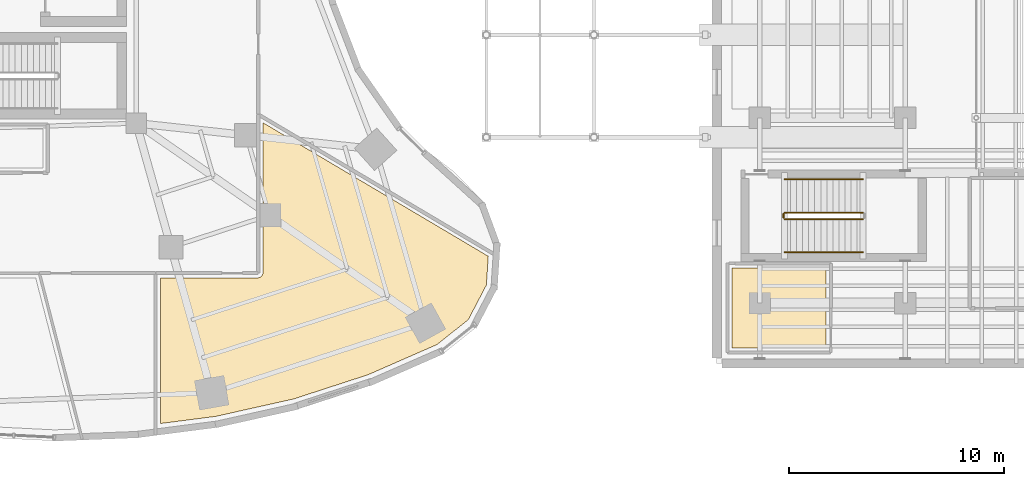
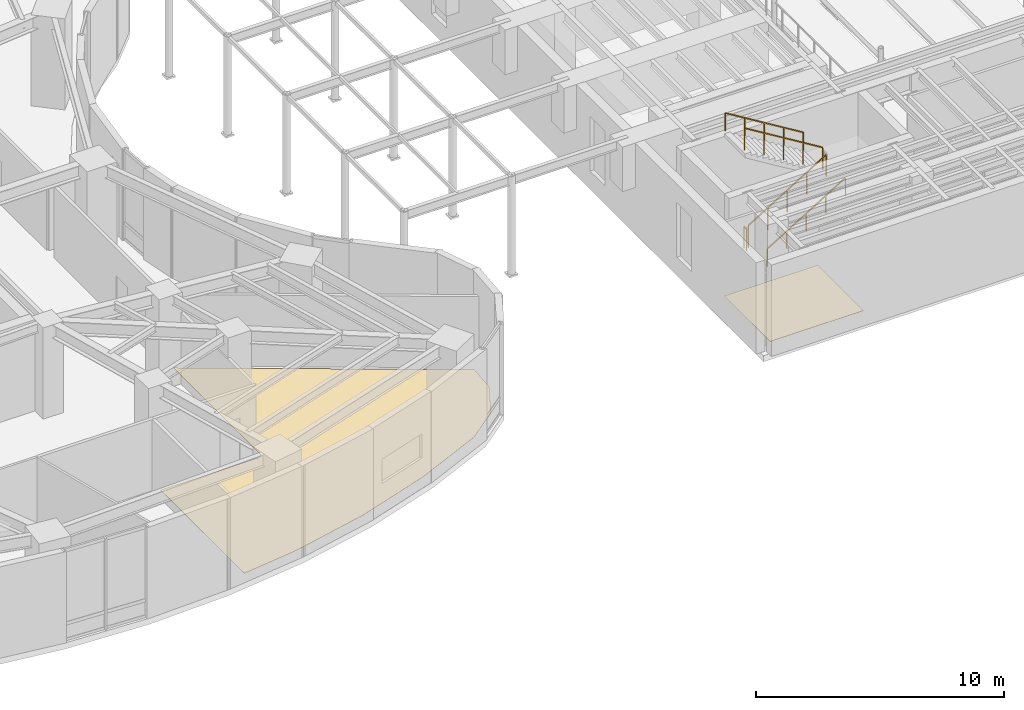
# One storey, part 22 of 24: 5 railings, 2 coverings.
"""IFC4 building model written with IfcOpenShell, lengths in metres."""

import ifcopenshell
import ifcopenshell.guid

model = None  # the IFC model being written
_history = None  # IfcOwnerHistory: only IFC2X3 demands one
_inside = {}  # id of a spatial element -> (the spatial element, [elements in it])
_under = {}  # id of a project, library or spatial element -> (it, [spatial elements below it])
_declared = {}  # id of a project -> (the project, [libraries it declares])
_typed = {}  # id of a type object -> (the type object, [elements of that type])
_made_of = {}  # id of a material, layer set ... -> (it, [elements and type objects made of it])


def new_model(schema):
    """Start an empty IFC model of exactly this schema.

    Asked for "IFC4X3", IfcOpenShell would pick the latest addendum, in which some entities
    have other attributes; the version numbers below select the first issue.
    IFC2X3 requires an IfcOwnerHistory on every rooted entity: one is made here for all.
    """
    global model, _history
    if schema == "IFC4X3":
        model = ifcopenshell.file(schema_version=(4, 3, 0, 0))
    else:
        model = ifcopenshell.file(schema=schema)
    _inside.clear()
    _under.clear()
    _declared.clear()
    _typed.clear()
    _made_of.clear()
    _history = None
    if model.schema == "IFC2X3":
        org = make("IfcOrganization", Name="unknown")
        user = make(
            "IfcPersonAndOrganization",
            ThePerson=make("IfcPerson", FamilyName="unknown"),
            TheOrganization=org,
        )
        app = make(
            "IfcApplication",
            ApplicationDeveloper=org,
            Version="unknown",
            ApplicationFullName="unknown",
            ApplicationIdentifier="unknown",
        )
        _history = make(
            "IfcOwnerHistory",
            OwningUser=user,
            OwningApplication=app,
            ChangeAction="ADDED",
            CreationDate=0,
        )
    return model


def make(cls, **values):
    """One entity of the class cls with the attributes given. An attribute that is None is left unset."""
    return model.create_entity(
        cls, **{name: value for name, value in values.items() if value is not None}
    )


def rooted(cls, **values):
    """An entity with a GlobalId (a new one), such as an element, a storey or a relation."""
    return make(cls, GlobalId=ifcopenshell.guid.new(), OwnerHistory=_history, **values)


def si_unit(unit_type, name, prefix=None):
    """IfcSIUnit, for example si_unit("LENGTHUNIT", "METRE", prefix="MILLI")."""
    return make("IfcSIUnit", UnitType=unit_type, Prefix=prefix, Name=name)


def assignment(units):
    """IfcUnitAssignment: the units of a project."""
    return None if units is None else make("IfcUnitAssignment", Units=units)


def point(xyz):
    """IfcCartesianPoint."""
    return None if xyz is None else make("IfcCartesianPoint", Coordinates=xyz)


def direction(xyz):
    """IfcDirection."""
    return None if xyz is None else make("IfcDirection", DirectionRatios=xyz)


def frame(location, z_axis=None, x_axis=None):
    """IfcAxis2Placement3D, a coordinate frame: its origin and axes. An axis left out is left unset."""
    return make(
        "IfcAxis2Placement3D",
        Location=point(location),
        Axis=direction(z_axis),
        RefDirection=direction(x_axis),
    )


def frame_2d(location, x_axis=None):
    """IfcAxis2Placement2D, a coordinate frame in the plane: its origin and x axis."""
    return make(
        "IfcAxis2Placement2D", Location=point(location), RefDirection=direction(x_axis)
    )


def origin():
    """The frame at (0, 0, 0) with its axes left unset."""
    return frame((0.0, 0.0, 0.0))


def origin_2d():
    """The frame at (0, 0) in the plane with its x axis left unset."""
    return frame_2d((0.0, 0.0))


def place(relative_to, where):
    """IfcLocalPlacement: puts the frame where relative to a parent placement (None: the world)."""
    return make(
        "IfcLocalPlacement", PlacementRelTo=relative_to, RelativePlacement=where
    )


def context(
    kind, dimensions, precision=None, world=None, true_north=None, identifier=None
):
    """IfcGeometricRepresentationContext, for example the 3D "Model" context."""
    return make(
        "IfcGeometricRepresentationContext",
        ContextIdentifier=identifier,
        ContextType=kind,
        CoordinateSpaceDimension=dimensions,
        Precision=precision,
        WorldCoordinateSystem=world,
        TrueNorth=true_north,
    )


def subcontext(parent, identifier, kind, view, scale=None):
    """IfcGeometricRepresentationSubContext, for example "Body" below "Model"."""
    return make(
        "IfcGeometricRepresentationSubContext",
        ContextIdentifier=identifier,
        ContextType=kind,
        ParentContext=parent,
        TargetScale=scale,
        TargetView=view,
    )


def project(units=None, contexts=None):
    """IfcProject with its units and contexts."""
    return rooted(
        "IfcProject",
        Name="project",
        RepresentationContexts=contexts,
        UnitsInContext=assignment(units),
    )


def spatial(cls, under=None, at=None, **own):
    """A site, building, storey or space (cls), placed at a placement, below another one or the project."""
    s = rooted(cls, ObjectPlacement=at, **own)
    if under is not None:
        _under.setdefault(under.id(), (under, []))[1].append(s)
    return s


def polyline(points):
    """IfcPolyline through the points."""
    return make("IfcPolyline", Points=[point(p) for p in points])


def profile(cls, at=None, kind="AREA", **sizes):
    """A parametric profile (cls). Its sizes go by their IFC names, for example OverallWidth=200.0."""
    return make(cls, ProfileType=kind, Position=at, **sizes)


def rectangle(**sizes):
    """IfcRectangleProfileDef."""
    return profile("IfcRectangleProfileDef", **sizes)


def outline(outer, holes=None, kind="AREA"):
    """IfcArbitraryClosedProfileDef: a profile drawn as a closed curve; with holes, ...WithVoids."""
    if holes is None:
        return make("IfcArbitraryClosedProfileDef", ProfileType=kind, OuterCurve=outer)
    return make(
        "IfcArbitraryProfileDefWithVoids",
        ProfileType=kind,
        OuterCurve=outer,
        InnerCurves=holes,
    )


def extrude(swept, where, along, depth):
    """IfcExtrudedAreaSolid: the profile swept, set in the frame where, extruded along a direction by depth."""
    return make(
        "IfcExtrudedAreaSolid",
        SweptArea=swept,
        Position=where,
        ExtrudedDirection=direction(along),
        Depth=depth,
    )


def shape(context_of_items, identifier, shape_type, items):
    """IfcShapeRepresentation: the items that make up one representation, for example the "Body"."""
    return make(
        "IfcShapeRepresentation",
        ContextOfItems=context_of_items,
        RepresentationIdentifier=identifier,
        RepresentationType=shape_type,
        Items=items,
    )


def material(Name=None, Category=None):
    """IfcMaterial."""
    return make("IfcMaterial", Name=Name, Category=Category)


def layer(
    of_material, thickness, ventilated=None, Name=None, Category=None, Priority=None
):
    """IfcMaterialLayer: one layer of a wall or slab, of a material (None: an air gap)."""
    return make(
        "IfcMaterialLayer",
        Material=of_material,
        LayerThickness=thickness,
        IsVentilated=ventilated,
        Name=Name,
        Category=Category,
        Priority=Priority,
    )


def layer_set(layers, Name=None):
    """IfcMaterialLayerSet."""
    return make("IfcMaterialLayerSet", MaterialLayers=layers, LayerSetName=Name)


def made_of(thing, what):
    """Note that an element or type object is made of a material, layer set ...; save() writes the relation."""
    if what is not None:
        _made_of.setdefault(what.id(), (what, []))[1].append(thing)
    return thing


def type_object(cls, material=None, **own):
    """A type object (cls), such as IfcWallType, which elements share."""
    return made_of(rooted(cls, **own), material)


def element(
    cls,
    number,
    at=None,
    inside=None,
    cuts=None,
    type_object=None,
    material=None,
    context=None,
    identifier="Body",
    shape_type=None,
    held_by="IfcProductDefinitionShape",
    body=None,
    shapes=None,
    **own,
):
    """One element of the class cls, such as IfcWall. Its Tag is "e" and its number.

    at: its placement. inside: the storey or other place that contains it. cuts: it is an
    opening in that element (IfcRelVoidsElement). A single representation is given by context,
    identifier, shape_type and body (its items); several are given by shapes. held_by: the class
    of the entity that holds the representations. save() writes the other relations.
    """
    e = rooted(cls, Tag="e%d" % number, ObjectPlacement=at, **own)
    if body is not None:
        shapes = [shape(context, identifier, shape_type, body)]
    if shapes is not None:
        e.Representation = make(held_by, Representations=shapes)
    if inside is not None:
        _inside.setdefault(inside.id(), (inside, []))[1].append(e)
    if cuts is not None:
        rooted(
            "IfcRelVoidsElement", RelatingBuildingElement=cuts, RelatedOpeningElement=e
        )
    if type_object is not None:
        _typed.setdefault(type_object.id(), (type_object, []))[1].append(e)
    return made_of(e, material)


def aggregate(whole, parts):
    """IfcRelAggregates: a whole, such as a stair, and the parts it consists of."""
    return rooted("IfcRelAggregates", RelatingObject=whole, RelatedObjects=parts)


def save(model, path):
    """Write the relations noted so far, then the file.

    IfcRelAggregates (storeys below a building ...), IfcRelContainedInSpatialStructure (elements
    in a storey), IfcRelDefinesByType, IfcRelAssociatesMaterial and IfcRelDeclares: one each for
    every whole, place, type object, material and project.
    """
    for whole, parts in _under.values():
        aggregate(whole, parts)
    for where, things in _inside.values():
        rooted(
            "IfcRelContainedInSpatialStructure",
            RelatedElements=things,
            RelatingStructure=where,
        )
    for kind, things in _typed.values():
        rooted("IfcRelDefinesByType", RelatedObjects=things, RelatingType=kind)
    for what, things in _made_of.values():
        rooted("IfcRelAssociatesMaterial", RelatedObjects=things, RelatingMaterial=what)
    for by, libraries in _declared.values():
        rooted("IfcRelDeclares", RelatingContext=by, RelatedDefinitions=libraries)
    model.write(path)


model = new_model("IFC4")

# Units and contexts
model_context = context("Model", 3, precision=1e-05, world=origin(), true_north=direction((0.0, 1.0)))
body_context = subcontext(model_context, "Body", "Model", "MODEL_VIEW")
ifc_project = project(units=[si_unit("LENGTHUNIT", "METRE"), si_unit("AREAUNIT", "SQUARE_METRE"), si_unit("VOLUMEUNIT", "CUBIC_METRE"), si_unit("PLANEANGLEUNIT", "RADIAN"), si_unit("MASSUNIT", "GRAM", prefix="KILO")], contexts=[model_context])

# Site, building, storey
site_placement = place(None, origin())
site = spatial("IfcSite", under=ifc_project, at=site_placement, CompositionType="ELEMENT")
building_placement = place(site_placement, origin())
building = spatial("IfcBuilding", under=site, at=building_placement, Name="Korentha Bioscience Tower", CompositionType="ELEMENT")
storey_placement = place(building_placement, frame((0.0, 0.0, 5.39990234375)))
storey = spatial("IfcBuildingStorey", under=building, at=storey_placement, Name="L01", CompositionType="ELEMENT", Elevation=5.39990234375)

# Covering
ifc_material_1 = material(Name="Vitrified Porcelain Tile", Category="ceramic")
ifc_layer_1 = layer(ifc_material_1, 0.014892578125, Name="Vitrified Porcelain Tile")
ifc_layer_set_1 = layer_set([ifc_layer_1], Name="Vitrified Porcelain Tile (FL-CER)")
covering_type_1 = type_object("IfcCoveringType", Name="Anti-Slip Ceramic Wet-Room Tile Flooring 15", PredefinedType="FLOORING", material=ifc_layer_set_1)
covering_1_placement = place(storey_placement, origin())
element("IfcCovering", 1, at=covering_1_placement, inside=storey, type_object=covering_type_1, Name="L01 L01 Theatre Public Restrooms Floor Finish", PredefinedType="FLOORING", context=body_context, shape_type="SweptSolid", body=[
    extrude(outline(polyline([(65.219970703125, 11.429931640625), (69.580078125, 11.419921875), (69.570068359375, 7.719970703125), (65.219970703125, 7.719970703125), (65.219970703125, 11.429931640625)])), origin(), (0.0, 0.0, 1.0), 0.01513671875),
])

# Railings
ifc_material_2 = material(Name="Stainless Steel 304", Category="steel")
railing_type_1 = type_object("IfcRailingType", Name="Brushed Stainless Stair Handrail 900", PredefinedType="HANDRAIL", material=ifc_material_2)
railing_1_placement = place(storey_placement, frame((67.64990234375, 12.14990234375, 0.171630859375)))
element("IfcRailing", 2, at=railing_1_placement, inside=storey, type_object=railing_type_1, Name="L01 ST-T1 stair handrail 1", PredefinedType="HANDRAIL", context=body_context, shape_type="SweptSolid", body=[
    extrude(rectangle(XDim=0.048095703125, YDim=0.048095703125, at=origin_2d()), frame((0.0, 0.0, 0.8759765625), z_axis=(0.852865859571, 0.0, 0.52213008492), x_axis=(0.0, 1.0, 0.0)), (0.0, 0.0, 1.0), 4.26806640625),
    extrude(rectangle(XDim=0.0419921875, YDim=0.0419921875, at=origin_2d()), origin(), (0.0, 0.0, 1.0), 0.851806640625),
    extrude(rectangle(XDim=0.0419921875, YDim=0.0419921875, at=origin_2d()), frame((0.91015625, 0.0, 0.55712890625)), (0.0, 0.0, 1.0), 0.851806640625),
    extrude(rectangle(XDim=0.0419921875, YDim=0.0419921875, at=origin_2d()), frame((1.820068359375, 0.0, 1.1142578125)), (0.0, 0.0, 1.0), 0.851806640625),
    extrude(rectangle(XDim=0.0419921875, YDim=0.0419921875, at=origin_2d()), frame((2.72998046875, 0.0, 1.67138671875)), (0.0, 0.0, 1.0), 0.851806640625),
    extrude(rectangle(XDim=0.0419921875, YDim=0.0419921875, at=origin_2d()), frame((3.64013671875, 0.0, 2.228515625)), (0.0, 0.0, 1.0), 0.851806640625),
])
railing_2_placement = place(storey_placement, frame((71.2900390625, 15.550048828125, 2.571533203125)))
element("IfcRailing", 3, at=railing_2_placement, inside=storey, type_object=railing_type_1, Name="L01 ST-T1 stair handrail 2", PredefinedType="HANDRAIL", context=body_context, shape_type="SweptSolid", body=[
    extrude(rectangle(XDim=0.048095703125, YDim=0.048095703125, at=origin_2d()), frame((0.0, 0.0, 0.8759765625), z_axis=(-0.852865859571, 0.0, 0.52213008492), x_axis=(0.0, -1.0, 0.0)), (0.0, 0.0, 1.0), 4.26806640625),
    extrude(rectangle(XDim=0.0419921875, YDim=0.0419921875, at=origin_2d()), origin(), (0.0, 0.0, 1.0), 0.851806640625),
    extrude(rectangle(XDim=0.0419921875, YDim=0.0419921875, at=origin_2d()), frame((-0.91015625, 0.0, 0.55712890625)), (0.0, 0.0, 1.0), 0.851806640625),
    extrude(rectangle(XDim=0.0419921875, YDim=0.0419921875, at=origin_2d()), frame((-1.820068359375, 0.0, 1.1142578125)), (0.0, 0.0, 1.0), 0.851806640625),
    extrude(rectangle(XDim=0.0419921875, YDim=0.0419921875, at=origin_2d()), frame((-2.72998046875, 0.0, 1.67138671875)), (0.0, 0.0, 1.0), 0.851806640625),
    extrude(rectangle(XDim=0.0419921875, YDim=0.0419921875, at=origin_2d()), frame((-3.64013671875, 0.0, 2.228515625)), (0.0, 0.0, 1.0), 0.851806640625),
])
ifc_material_3 = material(Name="Painted Steel S275", Category="steel")
railing_type_2 = type_object("IfcRailingType", Name="Painted Steel Stair Well Guardrail 1100", PredefinedType="GUARDRAIL", material=ifc_material_3)
railing_3_placement = place(storey_placement, frame((67.64990234375, 13.699951171875, 0.171630859375)))
element("IfcRailing", 4, at=railing_3_placement, inside=storey, type_object=railing_type_2, Name="L01 ST-T1 stair guard 1", PredefinedType="GUARDRAIL", context=body_context, shape_type="SweptSolid", body=[
    extrude(rectangle(XDim=0.048095703125, YDim=0.048095703125, at=origin_2d()), frame((0.0, 0.0, 1.076171875), z_axis=(0.852865859571, 0.0, 0.52213008492), x_axis=(0.0, 1.0, 0.0)), (0.0, 0.0, 1.0), 4.26806640625),
    extrude(rectangle(XDim=0.0419921875, YDim=0.0419921875, at=origin_2d()), origin(), (0.0, 0.0, 1.0), 1.052001953125),
    extrude(rectangle(XDim=0.0419921875, YDim=0.0419921875, at=origin_2d()), frame((0.91015625, 0.0, 0.55712890625)), (0.0, 0.0, 1.0), 1.052001953125),
    extrude(rectangle(XDim=0.0419921875, YDim=0.0419921875, at=origin_2d()), frame((1.820068359375, 0.0, 1.1142578125)), (0.0, 0.0, 1.0), 1.052001953125),
    extrude(rectangle(XDim=0.0419921875, YDim=0.0419921875, at=origin_2d()), frame((2.72998046875, 0.0, 1.67138671875)), (0.0, 0.0, 1.0), 1.052001953125),
    extrude(rectangle(XDim=0.0419921875, YDim=0.0419921875, at=origin_2d()), frame((3.64013671875, 0.0, 2.228515625)), (0.0, 0.0, 1.0), 1.052001953125),
])
railing_4_placement = place(storey_placement, frame((71.2900390625, 14.0, 2.571533203125)))
element("IfcRailing", 5, at=railing_4_placement, inside=storey, type_object=railing_type_2, Name="L01 ST-T1 stair guard 3", PredefinedType="GUARDRAIL", context=body_context, shape_type="SweptSolid", body=[
    extrude(rectangle(XDim=0.048095703125, YDim=0.048095703125, at=origin_2d()), frame((0.0, 0.0, 1.076171875), z_axis=(-0.852865859571, 0.0, 0.52213008492), x_axis=(0.0, -1.0, 0.0)), (0.0, 0.0, 1.0), 4.26806640625),
    extrude(rectangle(XDim=0.0419921875, YDim=0.0419921875, at=origin_2d()), origin(), (0.0, 0.0, 1.0), 1.052001953125),
    extrude(rectangle(XDim=0.0419921875, YDim=0.0419921875, at=origin_2d()), frame((-0.91015625, 0.0, 0.55712890625)), (0.0, 0.0, 1.0), 1.052001953125),
    extrude(rectangle(XDim=0.0419921875, YDim=0.0419921875, at=origin_2d()), frame((-1.820068359375, 0.0, 1.1142578125)), (0.0, 0.0, 1.0), 1.052001953125),
    extrude(rectangle(XDim=0.0419921875, YDim=0.0419921875, at=origin_2d()), frame((-2.72998046875, 0.0, 1.67138671875)), (0.0, 0.0, 1.0), 1.052001953125),
    extrude(rectangle(XDim=0.0419921875, YDim=0.0419921875, at=origin_2d()), frame((-3.64013671875, 0.0, 2.228515625)), (0.0, 0.0, 1.0), 1.052001953125),
])
railing_5_placement = place(storey_placement, frame((67.60009765625, 13.75, 0.0)))
element("IfcRailing", 6, at=railing_5_placement, inside=storey, type_object=railing_type_2, Name="L01 ST-T1 stair guard 4", PredefinedType="GUARDRAIL", context=body_context, shape_type="SweptSolid", body=[
    extrude(rectangle(XDim=0.048095703125, YDim=0.048095703125, at=origin_2d()), frame((0.0, 0.0, 1.076171875), z_axis=(0.0, 1.0, 0.0), x_axis=(-1.0, 0.0, 0.0)), (0.0, 0.0, 1.0), 0.199951171875),
    extrude(rectangle(XDim=0.0419921875, YDim=0.0419921875, at=origin_2d()), origin(), (0.0, 0.0, 1.0), 1.052001953125),
    extrude(rectangle(XDim=0.0419921875, YDim=0.0419921875, at=origin_2d()), frame((0.0, 0.199951171875, 0.0)), (0.0, 0.0, 1.0), 1.052001953125),
])

# Covering
ifc_material_4 = material(Name="Chemical-Resistant Epoxy Resin", Category="polymer")
ifc_layer_2 = layer(ifc_material_4, 0.011962890625, Name="Chemical-Resistant Epoxy Resin")
ifc_layer_set_2 = layer_set([ifc_layer_2], Name="Chemical-Resistant Epoxy Resin (FL-EPX)")
covering_type_2 = type_object("IfcCoveringType", Name="Seamless Epoxy Laboratory Flooring 12", PredefinedType="FLOORING", material=ifc_layer_set_2)
covering_2_placement = place(storey_placement, origin())
element("IfcCovering", 7, at=covering_2_placement, inside=storey, type_object=covering_type_2, Name="L01 Bioscience Reference Library 07 Floor Finish", PredefinedType="FLOORING", context=body_context, shape_type="SweptSolid", body=[
    extrude(outline(polyline([(44.857421875, 5.34716796875), (41.2451171875, 4.538818359375), (38.677978515625, 4.206787109375), (38.677978515625, 10.969970703125), (43.210693359375, 10.97021484375), (43.336669921875, 11.014892578125), (43.416748046875, 11.123046875), (43.429931640625, 11.199951171875), (43.429931640625, 18.174072265625), (53.89208984375, 11.9736328125), (53.805419921875, 10.6357421875), (52.966552734375, 9.02978515625), (51.5166015625, 7.875244140625), (48.310302734375, 6.470458984375), (44.857421875, 5.34716796875)])), origin(), (0.0, 0.0, 1.0), 0.01220703125),
])

save(model, "model.ifc")
